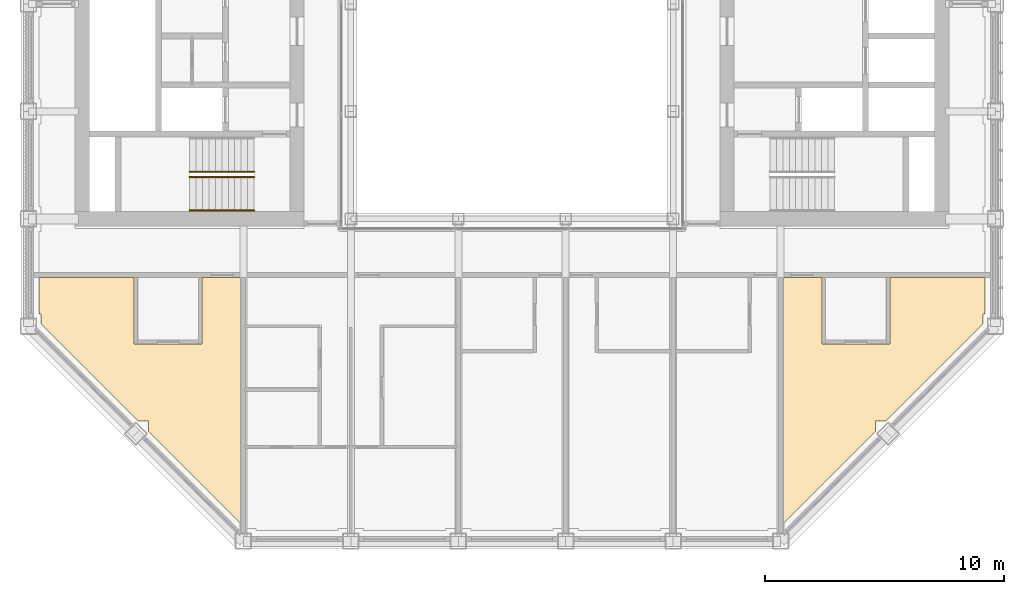
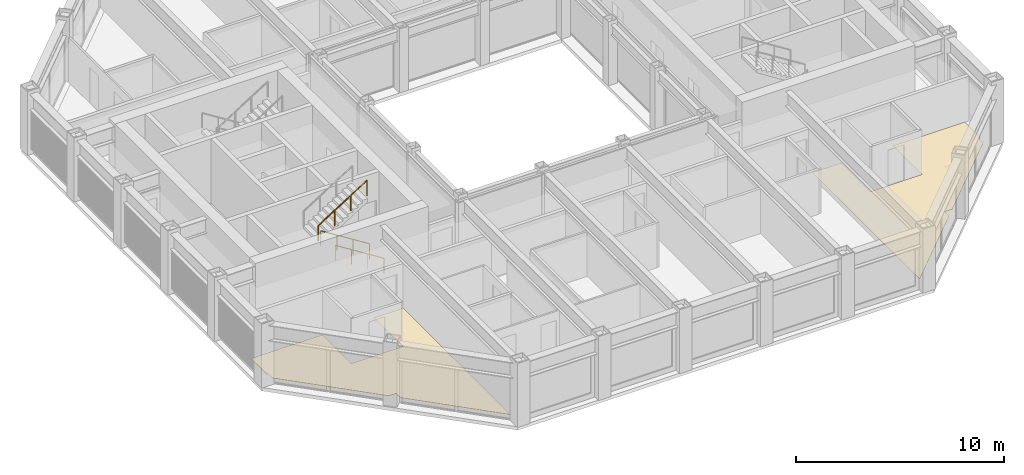
# One storey, part 14 of 18: 3 railings, 1 covering.
"""IFC4 building model written with IfcOpenShell, lengths in metres."""

from ifc_helpers import new_model, si_unit, direction, frame, origin, origin_2d, place, context, subcontext, project, spatial, line, indexed_curve, circle, outline, extrude, material, layer, layer_set, type_object, element, save


model = new_model("IFC4")

# Units and contexts
model_context = context("Model", 3, precision=1e-05, world=origin(), true_north=direction((0.0, 1.0)))
body_context = subcontext(model_context, "Body", "Model", "MODEL_VIEW")
ifc_project = project(units=[si_unit("LENGTHUNIT", "METRE"), si_unit("AREAUNIT", "SQUARE_METRE"), si_unit("VOLUMEUNIT", "CUBIC_METRE"), si_unit("PLANEANGLEUNIT", "RADIAN"), si_unit("MASSUNIT", "GRAM", prefix="KILO")], contexts=[model_context])

# Site, building, storey
site_placement = place(None, origin())
site = spatial("IfcSite", under=ifc_project, at=site_placement, CompositionType="ELEMENT")
building_placement = place(site_placement, origin())
building = spatial("IfcBuilding", under=site, at=building_placement, Name="Msasa Ring Tower", CompositionType="ELEMENT")
storey_placement = place(building_placement, frame((0.0, 0.0, 230.800048828125)))
storey = spatial("IfcBuildingStorey", under=building, at=storey_placement, Name="L60", CompositionType="ELEMENT", Elevation=230.800048828125)

# Covering
ifc_material_1 = material(Name="Engineered oak boards on an acoustic underlay", Category="wood")
ifc_layer = layer(ifc_material_1, 0.01806640625)
ifc_layer_set = layer_set([ifc_layer], Name="F3 ENGINEERED TIMBER ON ACOUSTIC UNDERLAY 18")
covering_type = type_object("IfcCoveringType", Name="F3 ENGINEERED TIMBER ON ACOUSTIC UNDERLAY 18", PredefinedType="FLOORING", material=ifc_layer_set)
covering_placement = place(storey_placement, origin())
element("IfcCovering", 1, at=covering_placement, inside=storey, type_object=covering_type, Name="Engineered Timber On Acoustic Underlay 18 L60", PredefinedType="FLOORING", context=body_context, shape_type="SweptSolid", body=[
    extrude(outline(indexed_curve([(-15.83056640625, -9.200439453125), (-15.83056640625, -11.98046875), (-12.969482421875, -11.98046875), (-12.969482421875, -9.200439453125), (-11.3505859375, -9.200439453125), (-11.3505859375, -19.512451171875), (-15.224609375, -15.638427734375), (-15.224609375, -15.224609375), (-15.638427734375, -15.224609375), (-19.724609375, -11.138427734375), (-19.724609375, -10.724609375), (-19.799560546875, -10.724609375), (-19.799560546875, -9.200439453125)], segments=[line(1, 2, 3, 4, 5, 6, 7, 8, 9, 10, 11, 12, 13, 1)], self_intersect=False)), origin(), (0.0, 0.0, 1.0), 0.01806640625),
    extrude(outline(indexed_curve([(15.83056640625, -11.98046875), (15.83056640625, -9.200439453125), (19.799560546875, -9.200439453125), (19.799560546875, -10.724609375), (19.724609375, -10.724609375), (19.724609375, -11.138427734375), (15.638427734375, -15.224609375), (15.224609375, -15.224609375), (15.224609375, -15.638427734375), (11.3505859375, -19.512451171875), (11.3505859375, -9.200439453125), (12.969482421875, -9.200439453125), (12.969482421875, -11.98046875)], segments=[line(1, 2, 3, 4, 5, 6, 7, 8, 9, 10, 11, 12, 13, 1)], self_intersect=False)), origin(), (0.0, 0.0, 1.0), 0.01806640625),
])

# Railings
ifc_material_2 = material(Name="Stainless steel", Category="steel")
railing_type = type_object("IfcRailingType", Name="HR1 HANDRAIL 900", PredefinedType="HANDRAIL", material=ifc_material_2)
for number, where, name in (
    (2, (-10.800048828125, -6.39990234375, 0.17041015625), "Handrail stair SWA L60 1"),
    (3, (-10.800048828125, -5.0, 0.17041015625), "Handrail stair SWA L60 2"),
):
    element("IfcRailing", number, at=place(storey_placement, frame(where)), inside=storey, type_object=railing_type, Name=name, PredefinedType="HANDRAIL", context=body_context, shape_type="SweptSolid", body=[
        extrude(circle(Radius=0.02392578125, at=origin_2d()), frame((0.0, 0.0, 0.8759765625), z_axis=(-0.845579735284, 0.0, 0.533849146555), x_axis=(0.0, -1.0, 0.0)), (0.0, 0.0, 1.0), 3.193115234375),
        extrude(circle(Radius=0.02099609375, at=origin_2d()), origin(), (0.0, 0.0, 1.0), 0.851806640625),
        extrude(circle(Radius=0.02099609375, at=origin_2d()), frame((-0.89990234375, 0.0, 0.568115234375)), (0.0, 0.0, 1.0), 0.851806640625),
        extrude(circle(Radius=0.02099609375, at=origin_2d()), frame((-1.800048828125, 0.0, 1.136474609375)), (0.0, 0.0, 1.0), 0.851806640625),
        extrude(circle(Radius=0.02099609375, at=origin_2d()), frame((-2.699951171875, 0.0, 1.70458984375)), (0.0, 0.0, 1.0), 0.851806640625),
    ])
railing_placement = place(storey_placement, frame((-13.5, -4.77490234375, 2.04541015625)))
element("IfcRailing", 4, at=railing_placement, inside=storey, type_object=railing_type, Name="Handrail stair SWA L60 3", PredefinedType="HANDRAIL", context=body_context, shape_type="SweptSolid", body=[
    extrude(circle(Radius=0.02392578125, at=origin_2d()), frame((0.0, 0.0, 0.8759765625), z_axis=(0.845579735284, 0.0, 0.533849146555), x_axis=(0.0, 1.0, 0.0)), (0.0, 0.0, 1.0), 3.193115234375),
    extrude(circle(Radius=0.02099609375, at=origin_2d()), origin(), (0.0, 0.0, 1.0), 0.851806640625),
    extrude(circle(Radius=0.02099609375, at=origin_2d()), frame((0.89990234375, 0.0, 0.568115234375)), (0.0, 0.0, 1.0), 0.851806640625),
    extrude(circle(Radius=0.02099609375, at=origin_2d()), frame((1.800048828125, 0.0, 1.136474609375)), (0.0, 0.0, 1.0), 0.851806640625),
    extrude(circle(Radius=0.02099609375, at=origin_2d()), frame((2.699951171875, 0.0, 1.70458984375)), (0.0, 0.0, 1.0), 0.851806640625),
])

save(model, "model.ifc")
